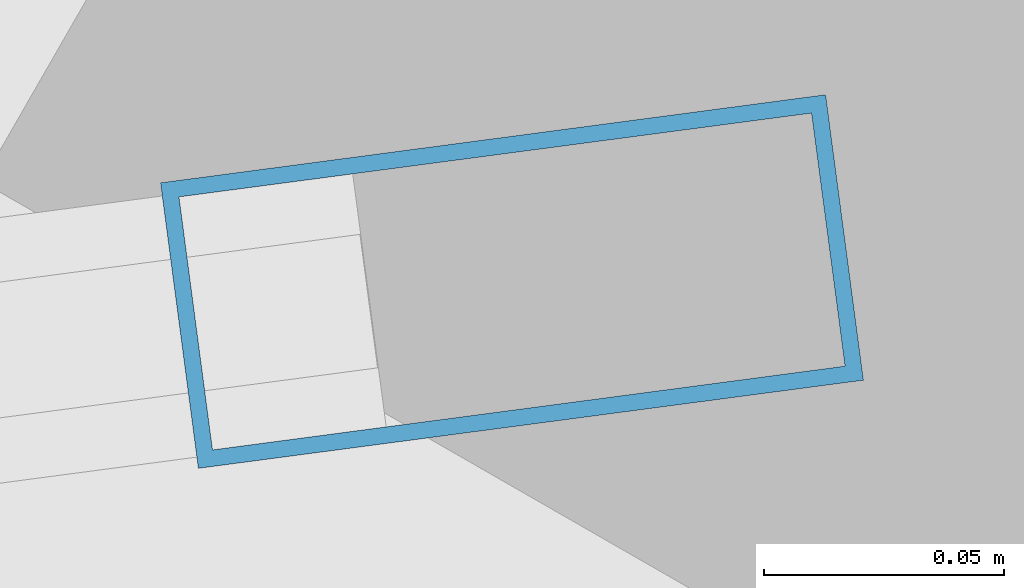
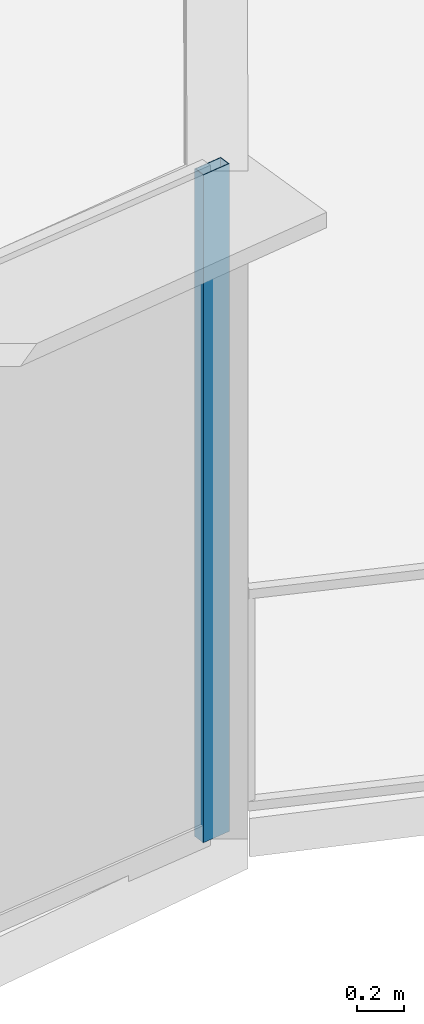
# One storey, part 14 of 37: 1 member, 1 element without a shape of its own.
"""IFC4 building model written with IfcOpenShell, lengths in metres."""

from ifc_helpers import new_model, si_unit, direction, frame, origin, origin_2d, place, context, subcontext, project, spatial, hollow_rectangle, extrude, source, transform, mapped, material, layer, layer_set, material_profile, profile_set, type_object, element, aggregate, save


model = new_model("IFC4")

# Units and contexts
model_context = context("Model", 3, precision=1e-05, world=origin(), true_north=direction((0.0, 1.0)))
body_context = subcontext(model_context, "Body", "Model", "MODEL_VIEW")
ifc_project = project(units=[si_unit("LENGTHUNIT", "METRE"), si_unit("AREAUNIT", "SQUARE_METRE"), si_unit("VOLUMEUNIT", "CUBIC_METRE"), si_unit("PLANEANGLEUNIT", "RADIAN"), si_unit("MASSUNIT", "GRAM", prefix="KILO"), si_unit("THERMODYNAMICTEMPERATUREUNIT", "KELVIN"), si_unit("POWERUNIT", "WATT")], contexts=[model_context])

# Site, building, storey
site_placement = place(None, origin())
site = spatial("IfcSite", under=ifc_project, at=site_placement, CompositionType="ELEMENT")
building_placement = place(site_placement, origin())
building = spatial("IfcBuilding", under=site, at=building_placement, Name="Yunzhuo Pagoda Commons", CompositionType="ELEMENT")
storey_placement = place(building_placement, frame((0.0, 0.0, 277.56005859375)))
storey = spatial("IfcBuildingStorey", under=building, at=storey_placement, Name="L69", CompositionType="ELEMENT", Elevation=277.56005859375)

# Curtain wall, member
ifc_material = material(Name="Anodized aluminium 6063-T6", Category="aluminium")
ifc_layer = layer(ifc_material, 0.139892578125)
ifc_layer_set = layer_set([ifc_layer], Name="Anodized aluminium 6063-T6")
curtain_wall_type = type_object("IfcCurtainWallType", Name="CW-HI High-Zone Ribbon Curtain Wall", PredefinedType="NOTDEFINED", material=ifc_layer_set)
curtain_wall_placement = place(storey_placement, origin())
curtain_wall = element("IfcCurtainWall", 1, at=curtain_wall_placement, inside=storey, type_object=curtain_wall_type, Name="L69 curtain wall CW-L69-F1B5", PredefinedType="NOTDEFINED")
ifc_material_profile = material_profile(ifc_material, hollow_rectangle(XDim=0.06005859375, YDim=0.139892578125, WallThickness=0.00341796875, at=origin_2d()), Name="Anodized aluminium 6063-T6")
ifc_profile_set = profile_set([ifc_material_profile], Name="Anodized aluminium 6063-T6")
member_type = type_object("IfcMemberType", Name="CW-HI-M Mullion RHS 140x60x3.5", PredefinedType="MULLION", material=ifc_profile_set)
shared_shape = source(origin(), body_context, "Body", "SweptSolid", [
    extrude(hollow_rectangle(XDim=0.06005859375, YDim=0.139892578125, WallThickness=0.00341796875, at=origin_2d()), origin(), (0.0, 0.0, 1.0), 3.469970703125),
])
member_placement = place(storey_placement, frame((76.964111328125, 20.89306640625, 0.0), z_axis=(0.0, 0.0, 1.0), x_axis=(-0.131311416098, 0.991341168318, 0.0)))
member = element("IfcMember", 2, at=member_placement, type_object=member_type, Name="CW mullion 2", PredefinedType="MULLION", context=body_context, shape_type="MappedRepresentation", body=[
    mapped(shared_shape, transform((0.0, 0.0, 0.0), scale=1.0)),
])
aggregate(curtain_wall, [member])

save(model, "model.ifc")
